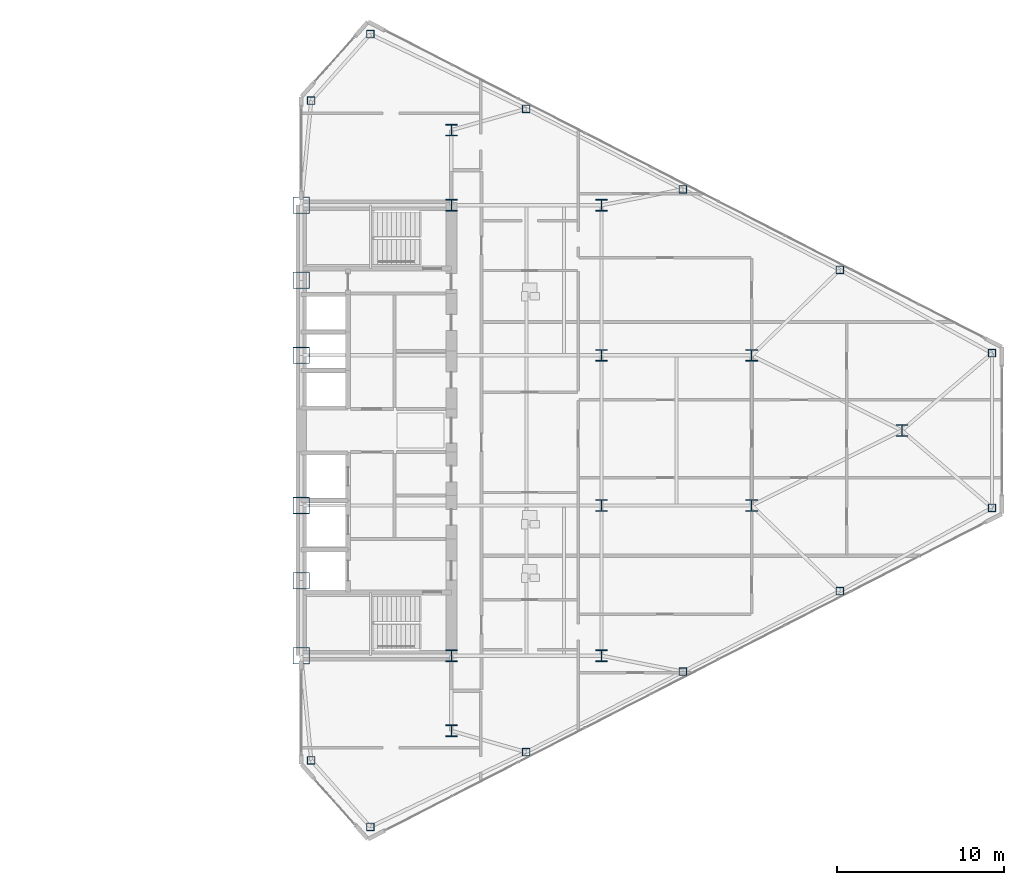
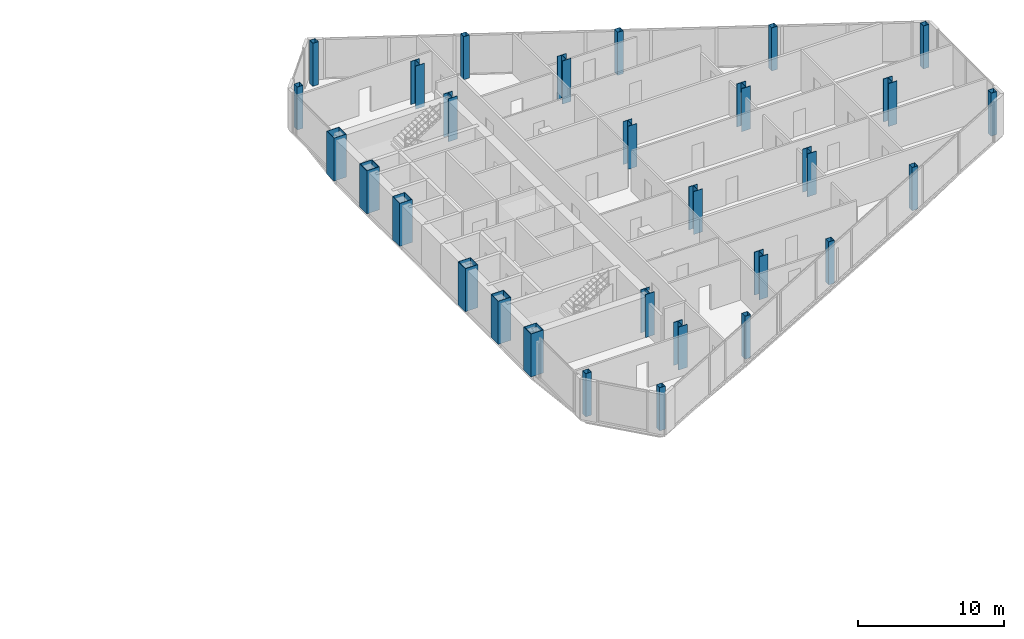
# One storey, part 2 of 24: 29 columns.
"""IFC4 building model written with IfcOpenShell, lengths in metres."""

from ifc_helpers import new_model, si_unit, direction, frame, origin, origin_2d, place, context, subcontext, project, spatial, hollow_rectangle, i_section, extrude, source, transform, mapped, material, material_profile, profile_set, type_object, type_shapes, element, save


model = new_model("IFC4")

# Units and contexts
model_context = context("Model", 3, precision=1e-05, world=origin(), true_north=direction((0.0, 1.0)))
body_context = subcontext(model_context, "Body", "Model", "MODEL_VIEW")
ifc_project = project(units=[si_unit("LENGTHUNIT", "METRE"), si_unit("AREAUNIT", "SQUARE_METRE"), si_unit("VOLUMEUNIT", "CUBIC_METRE"), si_unit("PLANEANGLEUNIT", "RADIAN"), si_unit("MASSUNIT", "GRAM", prefix="KILO")], contexts=[model_context])

# Site, building, storey
site_placement = place(None, origin())
site = spatial("IfcSite", under=ifc_project, at=site_placement, CompositionType="ELEMENT")
building_placement = place(site_placement, origin())
building = spatial("IfcBuilding", under=site, at=building_placement, Name="Seokmaru Belvedere", CompositionType="ELEMENT")
storey_placement = place(building_placement, frame((0.0, 0.0, 114.0)))
storey = spatial("IfcBuildingStorey", under=building, at=storey_placement, Name="L30", CompositionType="ELEMENT", Elevation=114.0)

# Columns
ifc_material_1 = material(Name="Steel HSA650 (650 MPa)", Category="steel")
ifc_material_profile_1 = material_profile(ifc_material_1, hollow_rectangle(XDim=1.0, YDim=1.0, WallThickness=0.0419921875, at=origin_2d()), Name="BOX-1000x1000x42")
ifc_profile_set_1 = profile_set([ifc_material_profile_1], Name="Steel HSA650 (650 MPa)")
column_type_1 = type_object("IfcColumnType", Name="Portal Spine Column BOX-1000", PredefinedType="COLUMN", material=ifc_profile_set_1)
shared_shape_1 = source(origin(), body_context, "Body", "SweptSolid", [
    extrude(hollow_rectangle(XDim=1.0, YDim=1.0, WallThickness=0.0419921875, at=origin_2d()), origin(), (0.0, 0.0, 1.0), 3.60009765625),
])
type_shapes(column_type_1, [shared_shape_1])
for number, where, z_axis, x_axis, name in (
    (1, (27.5, -13.5, 0.0), (0.0, 0.0, 1.0), (1.0, 0.0, 0.0), "L30 Column ES1"),
    (2, (27.5, -9.0, 0.0), (0.0, 0.0, 1.0), (1.0, 0.0, 0.0), "L30 Column ES2"),
    (3, (27.5, -4.5, 0.0), (0.0, 0.0, 1.0), (1.0, 0.0, 0.0), "L30 Column ES3"),
    (4, (27.5, 4.5, 0.0), (0.0, 0.0, 1.0), (1.0, 0.0, 0.0), "L30 Column ES4"),
    (5, (27.5, 9.0, 0.0), (0.0, 0.0, 1.0), (1.0, 0.0, 0.0), "L30 Column ES5"),
    (6, (27.5, 13.5, 0.0), (0.0, 0.0, 1.0), (1.0, 0.0, 0.0), "L30 Column ES6"),
):
    element("IfcColumn", number, at=place(storey_placement, frame(where, z_axis=z_axis, x_axis=x_axis)), inside=storey, type_object=column_type_1, Name=name, PredefinedType="COLUMN", context=body_context, shape_type="MappedRepresentation", body=[
        mapped(shared_shape_1, transform((0.0, 0.0, 0.0), scale=1.0)),
    ])
ifc_material_2 = material(Name="Steel SM355 (355 MPa)", Category="steel")
ifc_material_profile_2 = material_profile(ifc_material_2, i_section(OverallWidth=0.699951171875, OverallDepth=0.699951171875, WebThickness=0.028076171875, FlangeThickness=0.044921875, at=origin_2d()), Name="H-700x700x28x45")
ifc_profile_set_2 = profile_set([ifc_material_profile_2], Name="Steel SM355 (355 MPa)")
column_type_2 = type_object("IfcColumnType", Name="Mid Interior Column H-700", PredefinedType="COLUMN", material=ifc_profile_set_2)
shared_shape_2 = source(origin(), body_context, "Body", "SweptSolid", [
    extrude(i_section(OverallWidth=0.699951171875, OverallDepth=0.699951171875, WebThickness=0.028076171875, FlangeThickness=0.044921875, at=origin_2d()), origin(), (0.0, 0.0, 1.0), 3.60009765625),
])
type_shapes(column_type_2, [shared_shape_2])
for number, where, z_axis, x_axis, name in (
    (7, (36.5, -18.0, 0.0), (0.0, 0.0, 1.0), (1.0, 0.0, 0.0), "L30 Column EC1"),
    (8, (36.5, -13.5, 0.0), (0.0, 0.0, 1.0), (1.0, 0.0, 0.0), "L30 Column EC2"),
    (9, (36.5, 13.5, 0.0), (0.0, 0.0, 1.0), (1.0, 0.0, 0.0), "L30 Column EC3"),
    (10, (36.5, 18.0, 0.0), (0.0, 0.0, 1.0), (1.0, 0.0, 0.0), "L30 Column EC4"),
    (11, (45.5, -13.5, 0.0), (0.0, 0.0, 1.0), (1.0, 0.0, 0.0), "L30 Column EG5_1"),
    (12, (45.5, -4.5, 0.0), (0.0, 0.0, 1.0), (1.0, 0.0, 0.0), "L30 Column EG5_2"),
    (13, (45.5, 4.5, 0.0), (0.0, 0.0, 1.0), (1.0, 0.0, 0.0), "L30 Column EG5_3"),
    (14, (45.5, 13.5, 0.0), (0.0, 0.0, 1.0), (1.0, 0.0, 0.0), "L30 Column EG5_4"),
    (15, (54.5, -4.5, 0.0), (0.0, 0.0, 1.0), (1.0, 0.0, 0.0), "L30 Column EG4P_1"),
    (16, (54.5, 4.5, 0.0), (0.0, 0.0, 1.0), (1.0, 0.0, 0.0), "L30 Column EG4P_2"),
    (17, (63.5, 0.0, 0.0), (0.0, 0.0, 1.0), (1.0, 0.0, 0.0), "L30 Column EG3P_1"),
):
    element("IfcColumn", number, at=place(storey_placement, frame(where, z_axis=z_axis, x_axis=x_axis)), inside=storey, type_object=column_type_2, Name=name, PredefinedType="COLUMN", context=body_context, shape_type="MappedRepresentation", body=[
        mapped(shared_shape_2, transform((0.0, 0.0, 0.0), scale=1.0)),
    ])
ifc_material_profile_3 = material_profile(ifc_material_2, hollow_rectangle(XDim=0.449951171875, YDim=0.449951171875, WallThickness=0.01806640625, at=origin_2d()), Name="HSS-450x450x18")
ifc_profile_set_3 = profile_set([ifc_material_profile_3], Name="Steel SM355 (355 MPa)")
column_type_3 = type_object("IfcColumnType", Name="Perimeter Facet Column HSS-450", PredefinedType="COLUMN", material=ifc_profile_set_3)
shared_shape_3 = source(origin(), body_context, "Body", "SweptSolid", [
    extrude(hollow_rectangle(XDim=0.449951171875, YDim=0.449951171875, WallThickness=0.01806640625, at=origin_2d()), origin(), (0.0, 0.0, 1.0), 3.60009765625),
])
type_shapes(column_type_3, [shared_shape_3])
for number, where, z_axis, x_axis, name in (
    (18, (31.6396484375, -23.75390625, 0.0), (0.0, 0.0, 1.0), (1.0, 0.0, 0.0), "L30 Column EF1"),
    (19, (68.89990234375, -4.633544921875, 0.0), (0.0, 0.0, 1.0), (1.0, 0.0, 0.0), "L30 Column EF2"),
    (20, (68.89990234375, 4.633544921875, 0.0), (0.0, 0.0, 1.0), (1.0, 0.0, 0.0), "L30 Column EF3"),
    (21, (31.6396484375, 23.75390625, 0.0), (0.0, 0.0, 1.0), (1.0, 0.0, 0.0), "L30 Column EF4"),
    (22, (28.10009765625, 19.77197265625, 0.0), (0.0, 0.0, 1.0), (1.0, 0.0, 0.0), "L30 Column EF5"),
    (23, (28.10009765625, -19.77197265625, 0.0), (0.0, 0.0, 1.0), (1.0, 0.0, 0.0), "L30 Column EF6"),
    (24, (40.975830078125, -19.277587890625, 0.0), (0.0, 0.0, 1.0), (1.0, 0.0, 0.0), "L30 Column EFLK_S1"),
    (25, (50.377197265625, -14.453369140625, 0.0), (0.0, 0.0, 1.0), (1.0, 0.0, 0.0), "L30 Column EFLK_S2"),
    (26, (59.778564453125, -9.62890625, 0.0), (0.0, 0.0, 1.0), (1.0, 0.0, 0.0), "L30 Column EFLK_S3"),
    (27, (40.975830078125, 19.277587890625, 0.0), (0.0, 0.0, 1.0), (1.0, 0.0, 0.0), "L30 Column EFLK_N1"),
    (28, (50.377197265625, 14.453369140625, 0.0), (0.0, 0.0, 1.0), (1.0, 0.0, 0.0), "L30 Column EFLK_N2"),
    (29, (59.778564453125, 9.62890625, 0.0), (0.0, 0.0, 1.0), (1.0, 0.0, 0.0), "L30 Column EFLK_N3"),
):
    element("IfcColumn", number, at=place(storey_placement, frame(where, z_axis=z_axis, x_axis=x_axis)), inside=storey, type_object=column_type_3, Name=name, PredefinedType="COLUMN", context=body_context, shape_type="MappedRepresentation", body=[
        mapped(shared_shape_3, transform((0.0, 0.0, 0.0), scale=1.0)),
    ])

save(model, "model.ifc")
